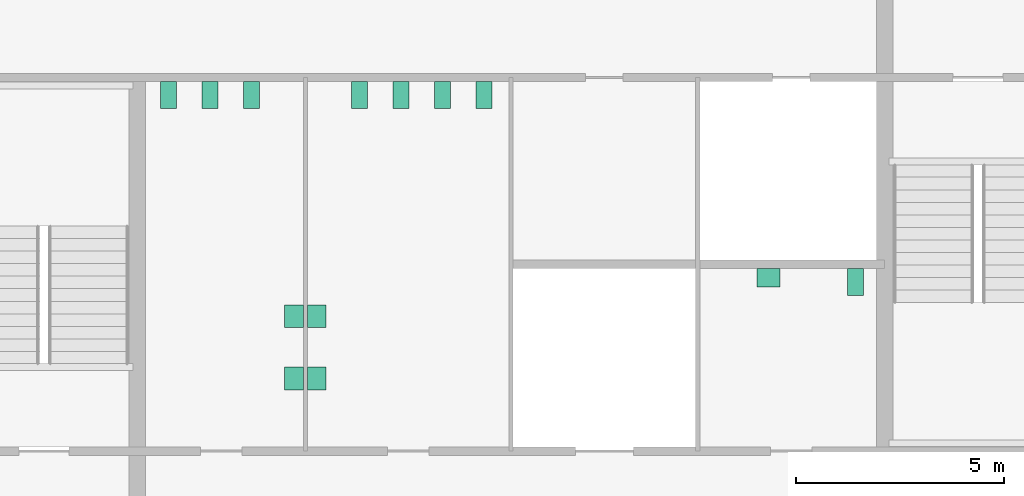
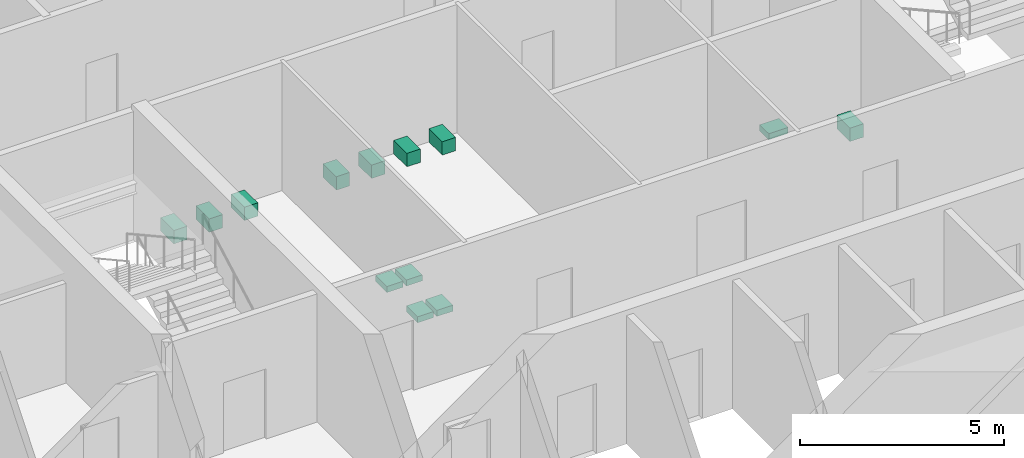
# One storey, part 13 of 13: 13 sanitary terminals.
"""IFC4 building model written with IfcOpenShell, lengths in metres."""

from ifc_helpers import new_model, si_unit, direction, frame, origin, origin_2d, place, context, subcontext, project, spatial, rectangle, extrude, material, type_object, element, save


model = new_model("IFC4")

# Units and contexts
model_context = context("Model", 3, precision=1e-05, world=origin(), true_north=direction((0.0, 1.0)))
body_context = subcontext(model_context, "Body", "Model", "MODEL_VIEW")
ifc_project = project(units=[si_unit("LENGTHUNIT", "METRE"), si_unit("AREAUNIT", "SQUARE_METRE"), si_unit("VOLUMEUNIT", "CUBIC_METRE"), si_unit("PLANEANGLEUNIT", "RADIAN"), si_unit("MASSUNIT", "GRAM", prefix="KILO")], contexts=[model_context])

# Site, building, storey
site_placement = place(None, origin())
site = spatial("IfcSite", under=ifc_project, at=site_placement, CompositionType="ELEMENT")
building_placement = place(site_placement, origin())
building = spatial("IfcBuilding", under=site, at=building_placement, Name="Corais Broadcast Tower", CompositionType="ELEMENT")
storey_placement = place(building_placement, frame((0.0, 0.0, 238.60009765625)))
storey = spatial("IfcBuildingStorey", under=building, at=storey_placement, Name="L55", CompositionType="ELEMENT", Elevation=238.60009765625)

# Sanitary terminals
ifc_material_1 = material(Name="Vitreous china", Category="ceramic")
sanitary_terminal_type_1 = type_object("IfcSanitaryTerminalType", Name="WC pan 380x650", PredefinedType="TOILETPAN", material=ifc_material_1)
for number, where, z_axis, x_axis, name in (
    (1, (18.75, 31.074951171875, 0.0), (0.0, 0.0, 1.0), (1.0, 0.0, 0.0), "SW1 WC pan, male toilets L55"),
    (2, (19.75, 31.074951171875, 0.0), (0.0, 0.0, 1.0), (1.0, 0.0, 0.0), "SW1 WC pan, male toilets L55"),
    (3, (20.75, 31.074951171875, 0.0), (0.0, 0.0, 1.0), (1.0, 0.0, 0.0), "SW1 WC pan, male toilets L55"),
    (4, (23.35009765625, 31.074951171875, 0.0), (0.0, 0.0, 1.0), (1.0, 0.0, 0.0), "SW1 WC pan, female toilets L55"),
    (5, (24.35009765625, 31.074951171875, 0.0), (0.0, 0.0, 1.0), (1.0, 0.0, 0.0), "SW1 WC pan, female toilets L55"),
    (6, (25.35009765625, 31.074951171875, 0.0), (0.0, 0.0, 1.0), (1.0, 0.0, 0.0), "SW1 WC pan, female toilets L55"),
    (7, (26.35009765625, 31.074951171875, 0.0), (0.0, 0.0, 1.0), (1.0, 0.0, 0.0), "SW1 WC pan, female toilets L55"),
    (8, (35.300048828125, 26.574951171875, 0.0), (0.0, 0.0, 1.0), (1.0, 0.0, 0.0), "SW1 WC pan, accessible WC L55"),
):
    element("IfcSanitaryTerminal", number, at=place(storey_placement, frame(where, z_axis=z_axis, x_axis=x_axis)), inside=storey, type_object=sanitary_terminal_type_1, Name=name, PredefinedType="TOILETPAN", context=body_context, shape_type="SweptSolid", body=[
        extrude(rectangle(XDim=0.3798828125, YDim=0.64990234375, at=origin_2d()), origin(), (0.0, 0.0, 1.0), 0.39990234375),
    ])
ifc_material_2 = material(Name="Vitreous china", Category="ceramic")
sanitary_terminal_type_2 = type_object("IfcSanitaryTerminalType", Name="Wash basin 550x450", PredefinedType="WASHHANDBASIN", material=ifc_material_2)
for number, where, z_axis, x_axis, name in (
    (9, (21.77490234375, 24.25, 0.69970703125), (0.0, 0.0, 1.0), (1.0, 0.0, 0.0), "WB1 wash basin, male toilets L55"),
    (10, (21.77490234375, 25.75, 0.69970703125), (0.0, 0.0, 1.0), (1.0, 0.0, 0.0), "WB1 wash basin, male toilets L55"),
    (11, (22.324951171875, 24.25, 0.69970703125), (0.0, 0.0, 1.0), (1.0, 0.0, 0.0), "WB1 wash basin, female toilets L55"),
    (12, (22.324951171875, 25.75, 0.69970703125), (0.0, 0.0, 1.0), (1.0, 0.0, 0.0), "WB1 wash basin, female toilets L55"),
):
    element("IfcSanitaryTerminal", number, at=place(storey_placement, frame(where, z_axis=z_axis, x_axis=x_axis)), inside=storey, type_object=sanitary_terminal_type_2, Name=name, PredefinedType="WASHHANDBASIN", context=body_context, shape_type="SweptSolid", body=[
        extrude(rectangle(XDim=0.449951171875, YDim=0.550048828125, at=origin_2d()), origin(), (0.0, 0.0, 1.0), 0.179931640625),
    ])
sanitary_terminal_placement = place(storey_placement, frame((33.199951171875, 26.675048828125, 0.69970703125), z_axis=(0.0, 0.0, 1.0), x_axis=(1.0, 0.0, 0.0)))
element("IfcSanitaryTerminal", 13, at=sanitary_terminal_placement, inside=storey, type_object=sanitary_terminal_type_2, Name="WB1 wash basin, accessible WC L55", PredefinedType="WASHHANDBASIN", context=body_context, shape_type="SweptSolid", body=[
    extrude(rectangle(XDim=0.550048828125, YDim=0.449951171875, at=origin_2d()), origin(), (0.0, 0.0, 1.0), 0.179931640625),
])

save(model, "model.ifc")
